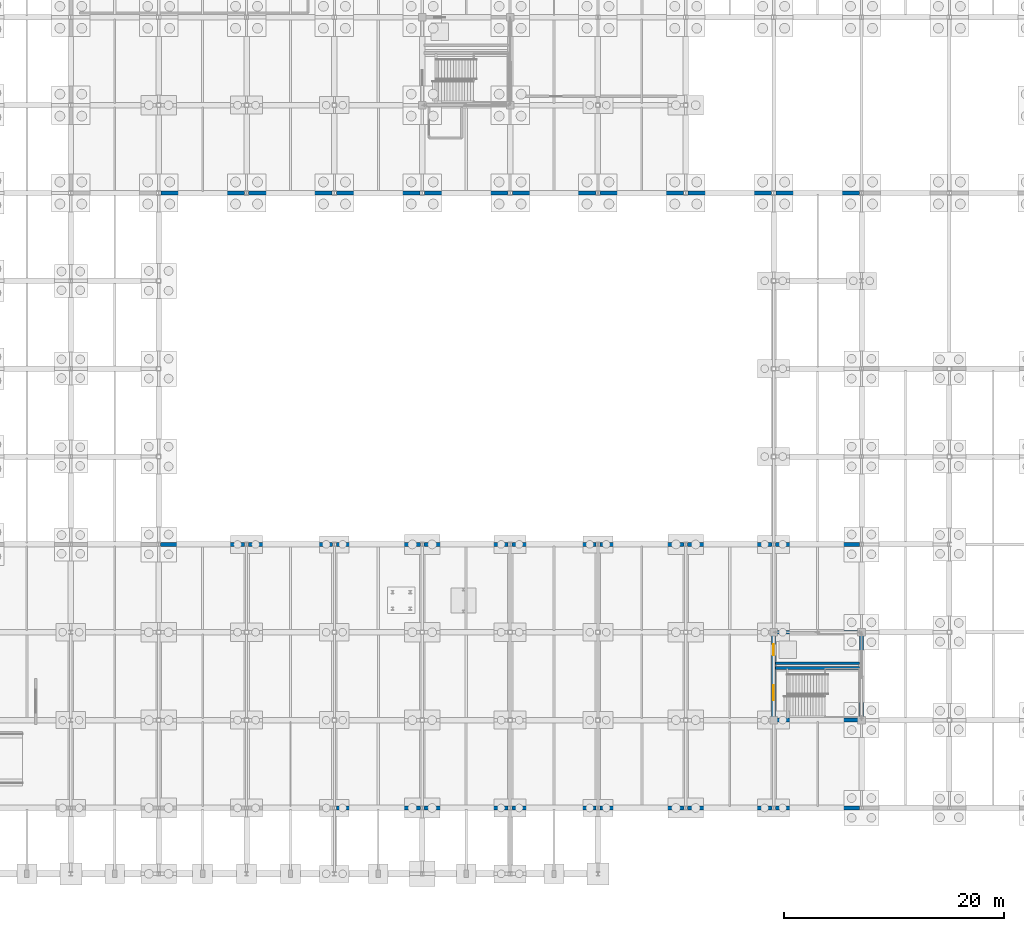
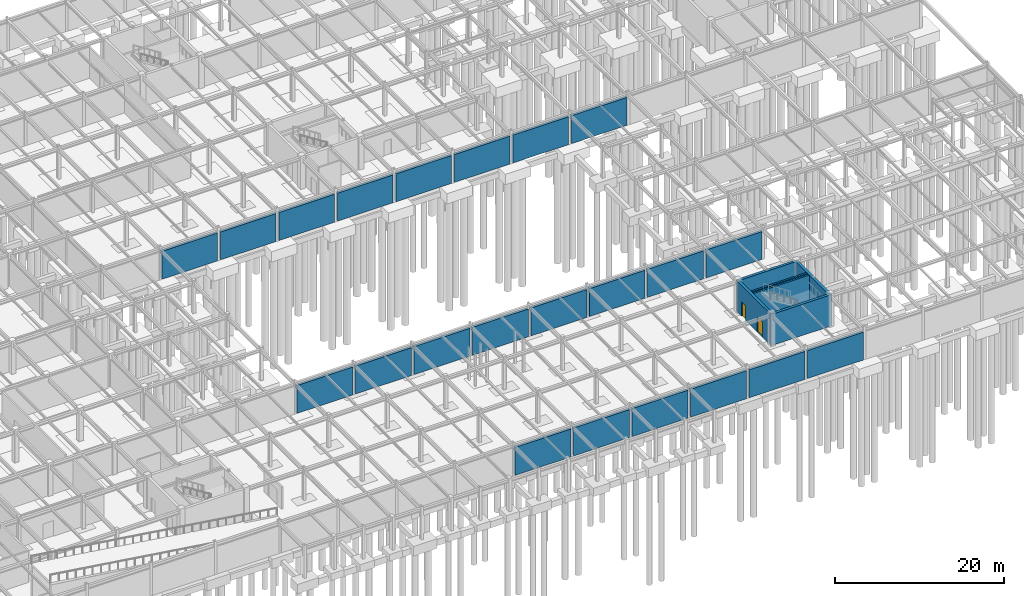
# One storey, part 62 of 72: 28 walls, 2 doors, 2 openings.
"""IFC4 building model written with IfcOpenShell, lengths in metres."""

from ifc_helpers import new_model, si_unit, direction, frame, frame_2d, origin, place, context, subcontext, project, spatial, rectangle, extrude, material, layer, layer_set, type_object, element, fill, save


model = new_model("IFC4")

# Units and contexts
model_context = context("Model", 3, precision=1e-05, world=origin(), true_north=direction((0.0, 1.0)))
body_context = subcontext(model_context, "Body", "Model", "MODEL_VIEW")
ifc_project = project(units=[si_unit("LENGTHUNIT", "METRE"), si_unit("AREAUNIT", "SQUARE_METRE"), si_unit("VOLUMEUNIT", "CUBIC_METRE"), si_unit("PLANEANGLEUNIT", "RADIAN"), si_unit("MASSUNIT", "GRAM", prefix="KILO")], contexts=[model_context])

# Site, building, storey
site_placement = place(None, origin())
site = spatial("IfcSite", under=ifc_project, at=site_placement, CompositionType="ELEMENT")
building_placement = place(site_placement, origin())
building = spatial("IfcBuilding", under=site, at=building_placement, Name="Zhaolan Boulevard Law Courts", CompositionType="ELEMENT")
storey_placement = place(building_placement, frame((0.0, 0.0, -4.800048828125)))
storey = spatial("IfcBuildingStorey", under=building, at=storey_placement, Name="B1", CompositionType="ELEMENT", Elevation=-4.800048828125)

# Walls
ifc_material_1 = material(Name="Concrete C50", Category="concrete")
ifc_layer_1 = layer(ifc_material_1, 0.35009765625)
ifc_layer_set_1 = layer_set([ifc_layer_1])
wall_type_1 = type_object("IfcWallType", Name="CORE SHEAR WALL 350", PredefinedType="SHEAR", material=ifc_layer_set_1)
for number, where, z_axis, x_axis, name in (
    (1, (115.824951171875, 14.0, 0.0), (0.0, 0.0, 1.0), (1.0, 0.0, 0.0), "Core Shear Wall CW-P2-B1S"),
    (2, (124.175048828125, 22.0, 0.0), (0.0, 0.0, 1.0), (-1.0, 0.0, 0.0), "Core Shear Wall CW-P2-B1N"),
):
    element("IfcWall", number, at=place(storey_placement, frame(where, z_axis=z_axis, x_axis=x_axis)), inside=storey, type_object=wall_type_1, Name=name, PredefinedType="SHEAR", context=body_context, shape_type="SweptSolid", body=[
        extrude(rectangle(XDim=8.35009765625, YDim=0.35009765625, at=frame_2d((4.175048828125, 0.0))), origin(), (0.0, 0.0, 1.0), 4.52001953125),
    ])

# Wall, openings, doors
wall_1_placement = place(storey_placement, frame((116.0, 14.175048828125, 0.0), z_axis=(0.0, 0.0, 1.0), x_axis=(0.0, 1.0, 0.0)))
wall_1 = element("IfcWall", 3, at=wall_1_placement, inside=storey, type_object=wall_type_1, Name="Core Shear Wall CW-P2-B1W", PredefinedType="SHEAR", context=body_context, shape_type="SweptSolid", body=[
    extrude(rectangle(XDim=7.64990234375, YDim=0.35009765625, at=frame_2d((3.824951171875, 0.0))), origin(), (0.0, 0.0, 1.0), 4.52001953125),
])
opening_1_placement = place(wall_1_placement, frame((1.64990234375, 0.0, 0.0)))
opening_1 = element("IfcOpeningElement", 4, at=opening_1_placement, cuts=wall_1, Name="Opening SD-B1-26", PredefinedType="OPENING", context=body_context, shape_type="SweptSolid", body=[
    extrude(rectangle(XDim=1.35009765625, YDim=2.199951171875, at=frame_2d((0.675048828125, 1.10009765625))), frame((0.0, 0.18505859375, 0.0), z_axis=(0.0, -1.0, 0.0), x_axis=(1.0, 0.0, 0.0)), (0.0, 0.0, 1.0), 0.3701171875),
])
opening_2_placement = place(wall_1_placement, frame((5.72509765625, 0.0, 0.0)))
opening_2 = element("IfcOpeningElement", 5, at=opening_2_placement, cuts=wall_1, Name="Opening LD-PL-02-B1", PredefinedType="OPENING", context=body_context, shape_type="SweptSolid", body=[
    extrude(rectangle(XDim=1.0, YDim=2.14990234375, at=frame_2d((0.5, 1.074951171875))), frame((0.0, 0.18505859375, 0.0), z_axis=(0.0, -1.0, 0.0), x_axis=(1.0, 0.0, 0.0)), (0.0, 0.0, 1.0), 0.3701171875),
])
ifc_material_2 = material(Name="Stainless steel sliding landing door", Category="steel")
door_type_1 = type_object("IfcDoorType", Name="LIFT LANDING 1000X2150", OperationType="DOUBLE_DOOR_SLIDING", PredefinedType="DOOR", material=ifc_material_2)
door_1_placement = place(opening_2_placement, origin())
door_1 = element("IfcDoor", 6, at=door_1_placement, inside=storey, type_object=door_type_1, Name="Lift Landing Sliding Door LD-PL-02-B1", OperationType="DOUBLE_DOOR_SLIDING", OverallHeight=2.14990234375, OverallWidth=1.0, PredefinedType="DOOR", context=body_context, shape_type="SweptSolid", body=[
    extrude(rectangle(XDim=1.0, YDim=2.14990234375, at=frame_2d((0.5, 1.074951171875))), frame((0.0, 0.02490234375, 0.0), z_axis=(0.0, -1.0, 0.0), x_axis=(1.0, 0.0, 0.0)), (0.0, 0.0, 1.0), 0.050048828125),
])
fill(opening_2, door_1)
ifc_material_3 = material(Name="Fire-rated steel acoustic door", Category="steel")
door_type_2 = type_object("IfcDoorType", Name="STAIR FIRE 1350X2200 R", OperationType="SINGLE_SWING_RIGHT", PredefinedType="DOOR", material=ifc_material_3)
door_2_placement = place(opening_1_placement, origin())
door_2 = element("IfcDoor", 7, at=door_2_placement, inside=storey, type_object=door_type_2, Name="Smoke-Proof Stairwell Fire Door SD-B1-26", OperationType="SINGLE_SWING_RIGHT", OverallHeight=2.199951171875, OverallWidth=1.35009765625, PredefinedType="DOOR", context=body_context, shape_type="SweptSolid", body=[
    extrude(rectangle(XDim=1.35009765625, YDim=2.199951171875, at=frame_2d((0.675048828125, 1.10009765625))), frame((0.0, 0.02490234375, 0.0), z_axis=(0.0, -1.0, 0.0), x_axis=(1.0, 0.0, 0.0)), (0.0, 0.0, 1.0), 0.050048828125),
])
fill(opening_1, door_2)

# Walls
wall_2_placement = place(storey_placement, frame((124.0, 14.175048828125, 0.0), z_axis=(0.0, 0.0, 1.0), x_axis=(0.0, 1.0, 0.0)))
element("IfcWall", 8, at=wall_2_placement, inside=storey, type_object=wall_type_1, Name="Core Shear Wall CW-P2-B1E", PredefinedType="SHEAR", context=body_context, shape_type="SweptSolid", body=[
    extrude(rectangle(XDim=7.64990234375, YDim=0.35009765625, at=frame_2d((3.824951171875, 0.0))), origin(), (0.0, 0.0, 1.0), 4.52001953125),
])
ifc_material_4 = material(Name="Concrete C40", Category="concrete")
ifc_layer_2 = layer(ifc_material_4, 0.360107421875)
ifc_layer_set_2 = layer_set([ifc_layer_2])
wall_type_2 = type_object("IfcWallType", Name="EXT WALL RETAINING360", PredefinedType="USERDEFINED", material=ifc_layer_set_2)
for number, where, z_axis, x_axis, name in (
    (9, (76.1708984375, 6.0, 0.0), (0.0, 0.0, 1.0), (1.0, 0.0, 0.0), "Exterior Wall EW-B1-010"),
    (10, (84.1708984375, 6.0, 0.0), (0.0, 0.0, 1.0), (1.0, 0.0, 0.0), "Exterior Wall EW-B1-011"),
    (11, (92.1708984375, 6.0, 0.0), (0.0, 0.0, 1.0), (1.0, 0.0, 0.0), "Exterior Wall EW-B1-012"),
    (12, (100.1708984375, 6.0, 0.0), (0.0, 0.0, 1.0), (1.0, 0.0, 0.0), "Exterior Wall EW-B1-013"),
    (13, (108.1708984375, 6.0, 0.0), (0.0, 0.0, 1.0), (1.0, 0.0, 0.0), "Exterior Wall EW-B1-014"),
    (14, (116.1708984375, 6.0, 0.0), (0.0, 0.0, 1.0), (1.0, 0.0, 0.0), "Exterior Wall EW-B1-015"),
    (15, (67.8291015625, 30.0, 0.0), (0.0, 0.0, 1.0), (-1.0, 0.0, 0.0), "Exterior Wall EW-B1-023"),
    (16, (75.8291015625, 30.0, 0.0), (0.0, 0.0, 1.0), (-1.0, 0.0, 0.0), "Exterior Wall EW-B1-024"),
    (17, (83.8291015625, 30.0, 0.0), (0.0, 0.0, 1.0), (-1.0, 0.0, 0.0), "Exterior Wall EW-B1-025"),
    (18, (91.8291015625, 30.0, 0.0), (0.0, 0.0, 1.0), (-1.0, 0.0, 0.0), "Exterior Wall EW-B1-026"),
    (19, (99.8291015625, 30.0, 0.0), (0.0, 0.0, 1.0), (-1.0, 0.0, 0.0), "Exterior Wall EW-B1-027"),
    (20, (107.8291015625, 30.0, 0.0), (0.0, 0.0, 1.0), (-1.0, 0.0, 0.0), "Exterior Wall EW-B1-028"),
    (21, (115.8291015625, 30.0, 0.0), (0.0, 0.0, 1.0), (-1.0, 0.0, 0.0), "Exterior Wall EW-B1-029"),
    (22, (123.8291015625, 30.0, 0.0), (0.0, 0.0, 1.0), (-1.0, 0.0, 0.0), "Exterior Wall EW-B1-030"),
):
    element("IfcWall", number, at=place(storey_placement, frame(where, z_axis=z_axis, x_axis=x_axis)), inside=storey, type_object=wall_type_2, Name=name, ObjectType="RETAININGWALL", PredefinedType="USERDEFINED", context=body_context, shape_type="SweptSolid", body=[
        extrude(rectangle(XDim=7.658203125, YDim=0.360107421875, at=frame_2d((3.8291015625, 0.0))), origin(), (0.0, 0.0, 1.0), 4.04296875),
    ])
for number, where, z_axis, x_axis, name in (
    (23, (60.196044921875, 62.0, 0.0), (0.0, 0.0, 1.0), (1.0, 0.0, 0.0), "Exterior Wall EW-B1-075"),
    (24, (68.196044921875, 62.0, 0.0), (0.0, 0.0, 1.0), (1.0, 0.0, 0.0), "Exterior Wall EW-B1-076"),
    (25, (76.196044921875, 62.0, 0.0), (0.0, 0.0, 1.0), (1.0, 0.0, 0.0), "Exterior Wall EW-B1-077"),
    (26, (84.196044921875, 62.0, 0.0), (0.0, 0.0, 1.0), (1.0, 0.0, 0.0), "Exterior Wall EW-B1-078"),
    (27, (92.196044921875, 62.0, 0.0), (0.0, 0.0, 1.0), (1.0, 0.0, 0.0), "Exterior Wall EW-B1-079"),
    (28, (100.196044921875, 62.0, 0.0), (0.0, 0.0, 1.0), (1.0, 0.0, 0.0), "Exterior Wall EW-B1-080"),
    (29, (108.196044921875, 62.0, 0.0), (0.0, 0.0, 1.0), (1.0, 0.0, 0.0), "Exterior Wall EW-B1-081"),
    (30, (116.196044921875, 62.0, 0.0), (0.0, 0.0, 1.0), (1.0, 0.0, 0.0), "Exterior Wall EW-B1-082"),
):
    element("IfcWall", number, at=place(storey_placement, frame(where, z_axis=z_axis, x_axis=x_axis)), inside=storey, type_object=wall_type_2, Name=name, ObjectType="RETAININGWALL", PredefinedType="USERDEFINED", context=body_context, shape_type="SweptSolid", body=[
        extrude(rectangle(XDim=7.60791015625, YDim=0.360107421875, at=frame_2d((3.803955078125, 0.0))), origin(), (0.0, 0.0, 1.0), 4.04296875),
    ])
ifc_material_5 = material(Name="Concrete C50", Category="concrete")
ifc_layer_3 = layer(ifc_material_5, 0.239990234375)
ifc_layer_set_3 = layer_set([ifc_layer_3])
wall_type_3 = type_object("IfcWallType", Name="LIFT SHAFT WALL 240", PredefinedType="SHEAR", material=ifc_layer_set_3)
wall_3_placement = place(storey_placement, frame((116.175048828125, 19.179931640625, 0.0), z_axis=(0.0, 0.0, 1.0), x_axis=(1.0, 0.0, 0.0)))
element("IfcWall", 31, at=wall_3_placement, inside=storey, type_object=wall_type_3, Name="Lift Shaft Enclosure Wall P2 (B1)", PredefinedType="SHEAR", context=body_context, shape_type="SweptSolid", body=[
    extrude(rectangle(XDim=7.64990234375, YDim=0.239990234375, at=frame_2d((3.824951171875, 0.0))), origin(), (0.0, 0.0, 1.0), 4.52001953125),
])
ifc_material_6 = material(Name="Concrete C50", Category="concrete")
ifc_layer_4 = layer(ifc_material_6, 0.239990234375)
ifc_layer_set_4 = layer_set([ifc_layer_4])
wall_type_4 = type_object("IfcWallType", Name="STAIR WELL WALL 240", PredefinedType="SHEAR", material=ifc_layer_set_4)
wall_4_placement = place(storey_placement, frame((116.175048828125, 18.75, 0.0), z_axis=(0.0, 0.0, 1.0), x_axis=(1.0, 0.0, 0.0)))
element("IfcWall", 32, at=wall_4_placement, inside=storey, type_object=wall_type_4, Name="Stairwell Divider Shear Wall ST05-B1N", PredefinedType="SHEAR", context=body_context, shape_type="SweptSolid", body=[
    extrude(rectangle(XDim=7.64990234375, YDim=0.239990234375, at=frame_2d((3.824951171875, 0.0))), origin(), (0.0, 0.0, 1.0), 4.52001953125),
])

save(model, "model.ifc")
